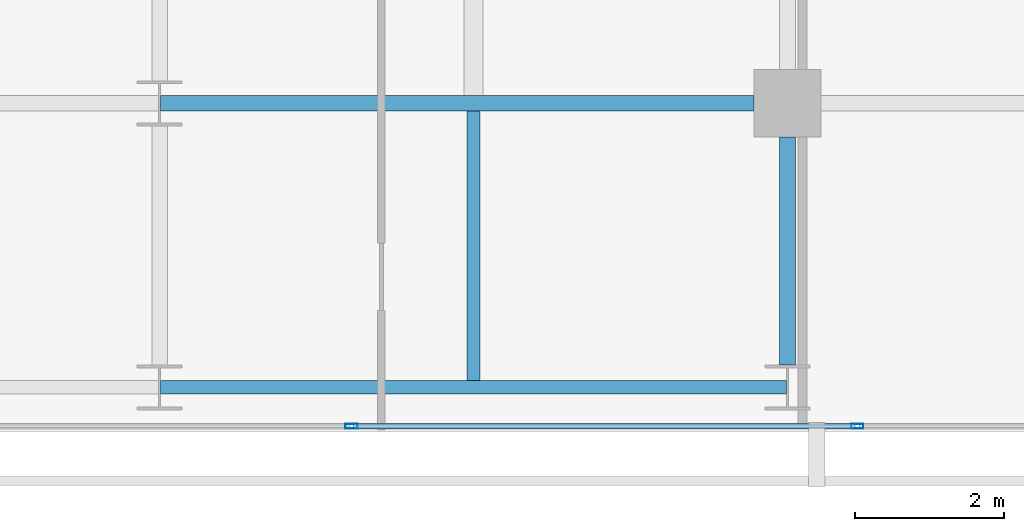
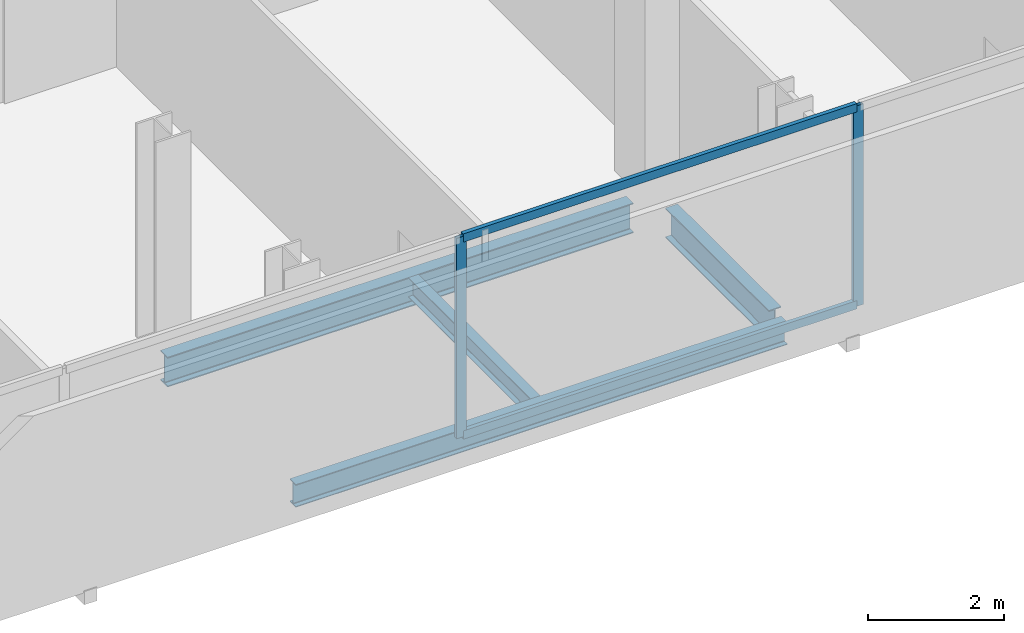
# One storey, part 12 of 34: 4 beams, 4 members, 1 element without a shape of its own.
"""IFC4 building model written with IfcOpenShell, lengths in metres."""

from ifc_helpers import new_model, si_unit, direction, frame, origin, origin_2d, place, context, subcontext, project, spatial, hollow_rectangle, i_section, extrude, material, layer, layer_set, material_profile, profile_set, type_object, element, aggregate, save


model = new_model("IFC4")

# Units and contexts
model_context = context("Model", 3, precision=1e-05, world=origin(), true_north=direction((0.0, 1.0)))
body_context = subcontext(model_context, "Body", "Model", "MODEL_VIEW")
ifc_project = project(units=[si_unit("LENGTHUNIT", "METRE"), si_unit("AREAUNIT", "SQUARE_METRE"), si_unit("VOLUMEUNIT", "CUBIC_METRE"), si_unit("PLANEANGLEUNIT", "RADIAN"), si_unit("MASSUNIT", "GRAM", prefix="KILO")], contexts=[model_context])

# Site, building, storey
site_placement = place(None, origin())
site = spatial("IfcSite", under=ifc_project, at=site_placement, CompositionType="ELEMENT")
building_placement = place(site_placement, origin())
building = spatial("IfcBuilding", under=site, at=building_placement, Name="Maruvema Waterfront Hotel and Observation Tower", CompositionType="ELEMENT")
storey_placement = place(building_placement, frame((0.0, 0.0, 215.949951171875)))
storey = spatial("IfcBuildingStorey", under=building, at=storey_placement, Name="L53", CompositionType="ELEMENT", Elevation=215.949951171875)

# Curtain wall, members
ifc_material_1 = material(Name="Anodised bronze aluminium and solar-control low-E IGU", Category="aluminium")
ifc_layer = layer(ifc_material_1, 0.159912109375, Name="Zone 2 Amber Inner Thermal Curtain Wall System CW-03")
ifc_layer_set = layer_set([ifc_layer], Name="Anodised bronze aluminium and solar-control low-E IGU")
curtain_wall_type = type_object("IfcCurtainWallType", Name="Zone 2 Amber Inner Thermal Curtain Wall System CW-03", PredefinedType="USERDEFINED", material=ifc_layer_set)
curtain_wall_placement = place(storey_placement, origin())
curtain_wall = element("IfcCurtainWall", 1, at=curtain_wall_placement, inside=storey, type_object=curtain_wall_type, Name="L53 Curtain Wall CW-L53-S", ObjectType="UNITISED CURTAIN WALL", PredefinedType="USERDEFINED")
ifc_material_2 = material(Name="Anodised architectural bronze aluminium", Category="aluminium")
ifc_material_profile_1 = material_profile(ifc_material_2, hollow_rectangle(XDim=0.070068359375, YDim=0.14990234375, WallThickness=0.00390625, at=origin_2d()), Name="ALU-T70x150")
ifc_profile_set_1 = profile_set([ifc_material_profile_1], Name="Anodised architectural bronze aluminium")
member_type_1 = type_object("IfcMemberType", Name="Curtain Wall Horizontal Transom ALU-T70x150", PredefinedType="USERDEFINED", material=ifc_profile_set_1)
member_1_placement = place(storey_placement, frame((44.5966796875, 4.679931640625, 0.030029296875), z_axis=(1.0, 0.0, 0.0), x_axis=(0.0, 1.0, 0.0)))
member_1 = element("IfcMember", 2, at=member_1_placement, type_object=member_type_1, Name="CW-03 transom 5.1", ObjectType="TRANSOM", PredefinedType="USERDEFINED", context=body_context, shape_type="SweptSolid", body=[
    extrude(hollow_rectangle(XDim=0.070068359375, YDim=0.14990234375, WallThickness=0.00390625, at=origin_2d()), origin(), (0.0, 0.0, 1.0), 6.70654296875),
])
member_2_placement = place(storey_placement, frame((44.5966796875, 4.679931640625, 3.580078125), z_axis=(1.0, 0.0, 0.0), x_axis=(0.0, 1.0, 0.0)))
member_2 = element("IfcMember", 3, at=member_2_placement, type_object=member_type_1, Name="CW-03 transom 5.2", ObjectType="TRANSOM", PredefinedType="USERDEFINED", context=body_context, shape_type="SweptSolid", body=[
    extrude(hollow_rectangle(XDim=0.070068359375, YDim=0.14990234375, WallThickness=0.00390625, at=origin_2d()), origin(), (0.0, 0.0, 1.0), 6.70654296875),
])
ifc_material_3 = material(Name="Anodised architectural bronze aluminium", Category="aluminium")
ifc_material_profile_2 = material_profile(ifc_material_3, hollow_rectangle(XDim=0.06494140625, YDim=0.1650390625, WallThickness=0.00390625, at=origin_2d()), Name="ALU-M65x165")
ifc_profile_set_2 = profile_set([ifc_material_profile_2], Name="Anodised architectural bronze aluminium")
member_type_2 = type_object("IfcMemberType", Name="Curtain Wall Primary Mullion ALU-M65x165", PredefinedType="MULLION", material=ifc_profile_set_2)
member_3_placement = place(storey_placement, frame((44.566650390625, 4.679931640625, 0.0), z_axis=(0.0, 0.0, 1.0), x_axis=(0.0, 1.0, 0.0)))
member_3 = element("IfcMember", 4, at=member_3_placement, type_object=member_type_2, Name="CW-03 mullion 5", PredefinedType="MULLION", context=body_context, shape_type="SweptSolid", body=[
    extrude(hollow_rectangle(XDim=0.06494140625, YDim=0.1650390625, WallThickness=0.00390625, at=origin_2d()), origin(), (0.0, 0.0, 1.0), 3.610107421875),
])
member_4_placement = place(storey_placement, frame((51.333251953125, 4.679931640625, 0.0), z_axis=(0.0, 0.0, 1.0), x_axis=(0.0, 1.0, 0.0)))
member_4 = element("IfcMember", 5, at=member_4_placement, type_object=member_type_2, Name="CW-03 mullion 6", PredefinedType="MULLION", context=body_context, shape_type="SweptSolid", body=[
    extrude(hollow_rectangle(XDim=0.06494140625, YDim=0.1650390625, WallThickness=0.00390625, at=origin_2d()), origin(), (0.0, 0.0, 1.0), 3.610107421875),
])
aggregate(curtain_wall, [member_3, member_4, member_1, member_2])

# Beams
ifc_material_4 = material(Name="Steel ASTM A572 Grade 50", Category="steel")
ifc_material_profile_3 = material_profile(ifc_material_4, i_section(OverallWidth=0.178955078125, OverallDepth=0.409912109375, WebThickness=0.0087890625, FlangeThickness=0.014404296875, FilletRadius=0.014892578125, at=origin_2d()), Name="W410x67.0")
ifc_profile_set_3 = profile_set([ifc_material_profile_3], Name="Steel ASTM A572 Grade 50")
beam_type_1 = type_object("IfcBeamType", Name="Perimeter Spandrel Beam W410x67.0", PredefinedType="SPANDREL", material=ifc_profile_set_3)
beam_1_placement = place(storey_placement, frame((42.012451171875, 5.199951171875, -0.445068359375), z_axis=(1.0, 0.0, 0.0), x_axis=(0.0, 1.0, 0.0)))
element("IfcBeam", 6, at=beam_1_placement, inside=storey, type_object=beam_type_1, Name="L53 Floor Girder EW-03", PredefinedType="SPANDREL", context=body_context, shape_type="SweptSolid", body=[
    extrude(i_section(OverallWidth=0.178955078125, OverallDepth=0.409912109375, WebThickness=0.0087890625, FlangeThickness=0.014404296875, FilletRadius=0.014892578125, at=origin_2d()), origin(), (0.0, 0.0, 1.0), 8.375),
])
ifc_material_5 = material(Name="Steel ASTM A572 Grade 50", Category="steel")
ifc_material_profile_4 = material_profile(ifc_material_5, i_section(OverallWidth=0.2109375, OverallDepth=0.5390625, WebThickness=0.01171875, FlangeThickness=0.018798828125, FilletRadius=0.014892578125, at=origin_2d()), Name="W530x109.0")
ifc_profile_set_4 = profile_set([ifc_material_profile_4], Name="Steel ASTM A572 Grade 50")
beam_type_2 = type_object("IfcBeamType", Name="Primary Floor Girder W530x109.0", PredefinedType="BEAM", material=ifc_profile_set_4)
beam_2_placement = place(storey_placement, frame((42.012451171875, 9.0, -0.509521484375), z_axis=(1.0, 0.0, 0.0), x_axis=(0.0, 1.0, 0.0)))
element("IfcBeam", 7, at=beam_2_placement, inside=storey, type_object=beam_type_2, Name="L53 Floor Girder EW-08", PredefinedType="BEAM", context=body_context, shape_type="SweptSolid", body=[
    extrude(i_section(OverallWidth=0.2109375, OverallDepth=0.5390625, WebThickness=0.01171875, FlangeThickness=0.018798828125, FilletRadius=0.014892578125, at=origin_2d()), origin(), (0.0, 0.0, 1.0), 7.9375),
])
beam_3_placement = place(storey_placement, frame((50.39990234375, 5.5, -0.509521484375), z_axis=(0.0, 1.0, 0.0), x_axis=(-1.0, 0.0, 0.0)))
element("IfcBeam", 8, at=beam_3_placement, inside=storey, type_object=beam_type_2, Name="L53 Floor Girder NS-20", PredefinedType="BEAM", context=body_context, shape_type="SweptSolid", body=[
    extrude(i_section(OverallWidth=0.2109375, OverallDepth=0.5390625, WebThickness=0.01171875, FlangeThickness=0.018798828125, FilletRadius=0.014892578125, at=origin_2d()), origin(), (0.0, 0.0, 1.0), 3.050048828125),
])
ifc_material_6 = material(Name="Steel ASTM A572 Grade 50", Category="steel")
ifc_material_profile_5 = material_profile(ifc_material_6, i_section(OverallWidth=0.1708984375, OverallDepth=0.35498046875, WebThickness=0.007080078125, FlangeThickness=0.01171875, FilletRadius=0.014892578125, at=origin_2d()), Name="W360x51.0")
ifc_profile_set_5 = profile_set([ifc_material_profile_5], Name="Steel ASTM A572 Grade 50")
beam_type_3 = type_object("IfcBeamType", Name="Secondary Floor Joist W360x51.0", PredefinedType="JOIST", material=ifc_profile_set_5)
beam_4_placement = place(storey_placement, frame((46.199951171875, 5.28955078125, -0.41748046875), z_axis=(0.0, 1.0, 0.0), x_axis=(-1.0, 0.0, 0.0)))
element("IfcBeam", 9, at=beam_4_placement, inside=storey, type_object=beam_type_3, Name="L53 Secondary Floor Joist JS-09", PredefinedType="JOIST", context=body_context, shape_type="SweptSolid", body=[
    extrude(i_section(OverallWidth=0.1708984375, OverallDepth=0.35498046875, WebThickness=0.007080078125, FlangeThickness=0.01171875, FilletRadius=0.014892578125, at=origin_2d()), origin(), (0.0, 0.0, 1.0), 3.60498046875),
])

save(model, "model.ifc")
